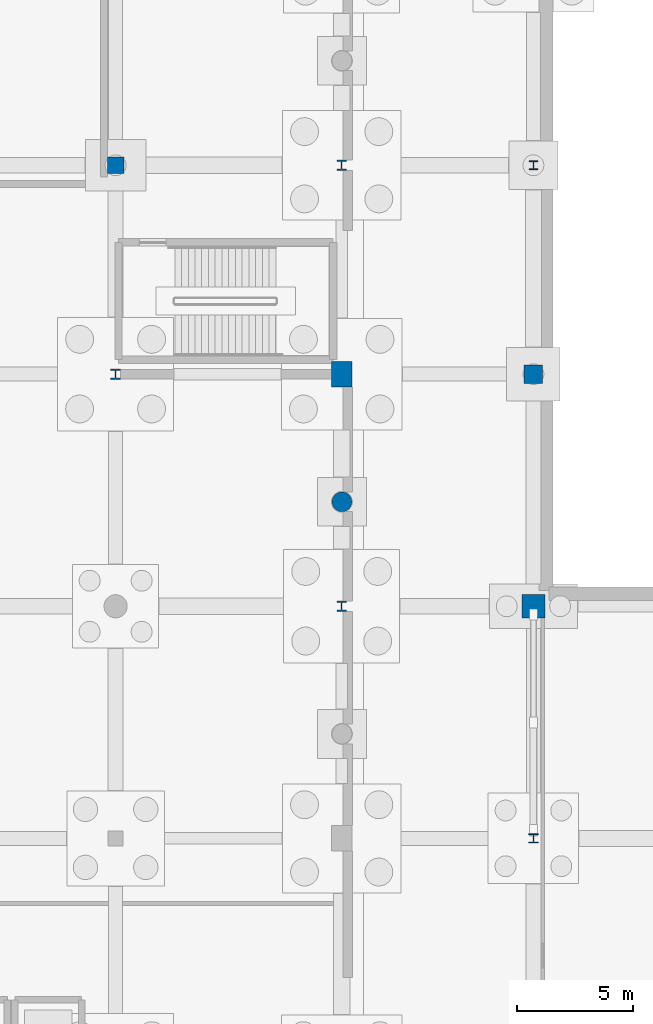
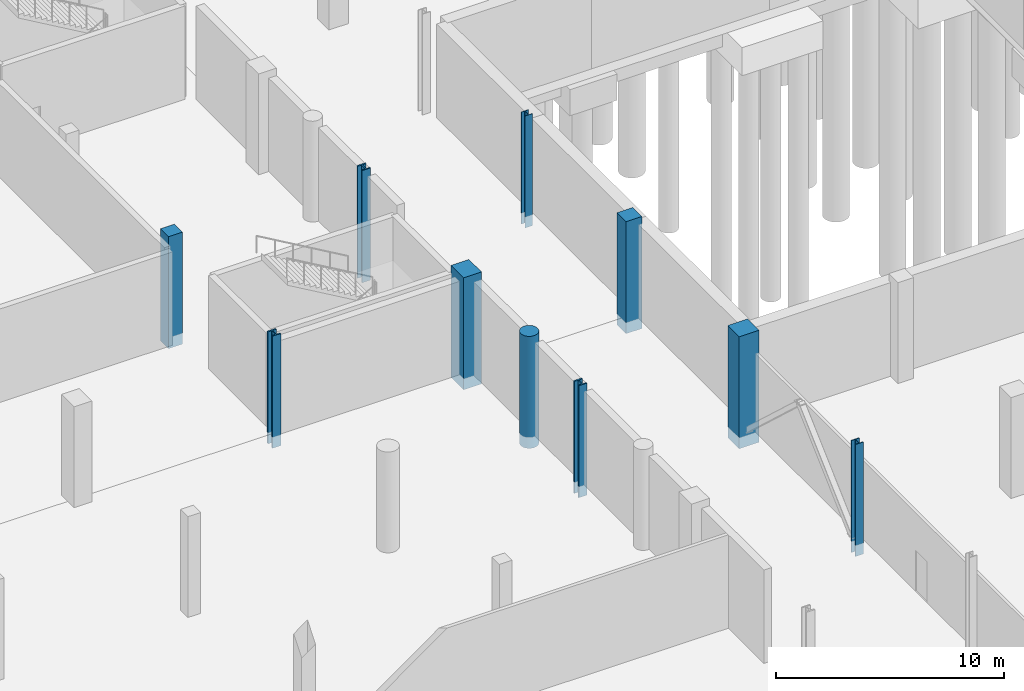
# One storey, part 29 of 60: 10 columns.
"""IFC4 building model written with IfcOpenShell, lengths in metres."""

from ifc_helpers import new_model, si_unit, direction, frame, origin, origin_2d, place, context, subcontext, project, spatial, rectangle, circle, i_section, extrude, material, material_profile, profile_set, type_object, element, save


model = new_model("IFC4")

# Units and contexts
model_context = context("Model", 3, precision=1e-05, world=origin(), true_north=direction((0.0, 1.0)))
body_context = subcontext(model_context, "Body", "Model", "MODEL_VIEW")
ifc_project = project(units=[si_unit("LENGTHUNIT", "METRE"), si_unit("AREAUNIT", "SQUARE_METRE"), si_unit("VOLUMEUNIT", "CUBIC_METRE"), si_unit("PLANEANGLEUNIT", "RADIAN"), si_unit("MASSUNIT", "GRAM", prefix="KILO")], contexts=[model_context])

# Site, building, storey
site_placement = place(None, origin())
site = spatial("IfcSite", under=ifc_project, at=site_placement, CompositionType="ELEMENT")
building_placement = place(site_placement, origin())
building = spatial("IfcBuilding", under=site, at=building_placement, Name="Trimount Lyric Opera House", CompositionType="ELEMENT")
storey_placement = place(building_placement, frame((0.0, 0.0, -5.39990234375)))
storey = spatial("IfcBuildingStorey", under=building, at=storey_placement, Name="B1", CompositionType="ELEMENT", Elevation=-5.39990234375)

# Columns
ifc_material_1 = material(Name="Steel ASTM A992 Grade 50", Category="steel")
ifc_material_profile_1 = material_profile(ifc_material_1, i_section(OverallWidth=0.422119140625, OverallDepth=0.465087890625, WebThickness=0.044921875, FlangeThickness=0.072509765625, FilletRadius=0.02001953125, at=origin_2d()), Name="W14X398")
ifc_profile_set_1 = profile_set([ifc_material_profile_1], Name="Steel ASTM A992 Grade 50")
column_type_1 = type_object("IfcColumnType", Name="C-01", PredefinedType="COLUMN", material=ifc_profile_set_1)
for number, where, z_axis, x_axis, name in (
    (1, (104.0, 84.0, -0.60009765625), (0.0, 0.0, 1.0), (1.0, 0.0, 0.0), "B1 column 12/K"),
    (2, (113.739990234375, 74.0, -0.60009765625), (0.0, 0.0, 1.0), (1.0, 0.0, 0.0), "B1 column 13/J"),
    (3, (113.739990234375, 93.0, -0.60009765625), (0.0, 0.0, 1.0), (1.0, 0.0, 0.0), "B1 column 13/L"),
):
    element("IfcColumn", number, at=place(storey_placement, frame(where, z_axis=z_axis, x_axis=x_axis)), inside=storey, type_object=column_type_1, Name=name, PredefinedType="COLUMN", context=body_context, shape_type="SweptSolid", body=[
        extrude(i_section(OverallWidth=0.422119140625, OverallDepth=0.465087890625, WebThickness=0.044921875, FlangeThickness=0.072509765625, FilletRadius=0.02001953125, at=origin_2d()), origin(), (0.0, 0.0, 1.0), 6.0),
    ])
ifc_material_2 = material(Name="Steel ASTM A992 Grade 50", Category="steel")
ifc_material_profile_2 = material_profile(ifc_material_2, i_section(OverallWidth=0.39892578125, OverallDepth=0.385986328125, WebThickness=0.02099609375, FlangeThickness=0.033203125, FilletRadius=0.01611328125, at=origin_2d()), Name="W14X176")
ifc_profile_set_2 = profile_set([ifc_material_profile_2], Name="Steel ASTM A992 Grade 50")
column_type_2 = type_object("IfcColumnType", Name="C-03", PredefinedType="COLUMN", material=ifc_profile_set_2)
column_1_placement = place(storey_placement, frame((122.0, 64.0, -0.60009765625), z_axis=(0.0, 0.0, 1.0), x_axis=(1.0, 0.0, 0.0)))
element("IfcColumn", 4, at=column_1_placement, inside=storey, type_object=column_type_2, Name="B1 column 14/H", PredefinedType="COLUMN", context=body_context, shape_type="SweptSolid", body=[
    extrude(i_section(OverallWidth=0.39892578125, OverallDepth=0.385986328125, WebThickness=0.02099609375, FlangeThickness=0.033203125, FilletRadius=0.01611328125, at=origin_2d()), origin(), (0.0, 0.0, 1.0), 6.0),
])
ifc_material_3 = material(Name="Steel ASTM A992 Grade 50", Category="steel")
ifc_material_profile_3 = material_profile(ifc_material_3, i_section(OverallWidth=0.373046875, OverallDepth=0.367919921875, WebThickness=0.014892578125, FlangeThickness=0.02392578125, FilletRadius=0.014892578125, at=origin_2d()), Name="W14X120")
ifc_profile_set_3 = profile_set([ifc_material_profile_3], Name="Steel ASTM A992 Grade 50")
column_type_3 = type_object("IfcColumnType", Name="C-08", PredefinedType="COLUMN", material=ifc_profile_set_3)
column_2_placement = place(storey_placement, frame((122.0, 93.0, -0.60009765625), z_axis=(0.0, 0.0, 1.0), x_axis=(1.0, 0.0, 0.0)))
element("IfcColumn", 5, at=column_2_placement, inside=storey, type_object=column_type_3, Name="B1 column 14/L", PredefinedType="COLUMN", context=body_context, shape_type="SweptSolid", body=[
    extrude(i_section(OverallWidth=0.373046875, OverallDepth=0.367919921875, WebThickness=0.014892578125, FlangeThickness=0.02392578125, FilletRadius=0.014892578125, at=origin_2d()), origin(), (0.0, 0.0, 1.0), 6.0),
])
ifc_material_4 = material(Name="Concrete C50/60", Category="concrete")
ifc_material_profile_4 = material_profile(ifc_material_4, rectangle(XDim=0.89990234375, YDim=1.10009765625, at=origin_2d()), Name="RC1100X900")
ifc_profile_set_4 = profile_set([ifc_material_profile_4], Name="Concrete C50/60")
column_type_4 = type_object("IfcColumnType", Name="C-11", PredefinedType="COLUMN", material=ifc_profile_set_4)
column_3_placement = place(storey_placement, frame((113.739990234375, 84.0, -0.60009765625), z_axis=(0.0, 0.0, 1.0), x_axis=(1.0, 0.0, 0.0)))
element("IfcColumn", 6, at=column_3_placement, inside=storey, type_object=column_type_4, Name="B1 column 13/K", PredefinedType="COLUMN", context=body_context, shape_type="SweptSolid", body=[
    extrude(rectangle(XDim=0.89990234375, YDim=1.10009765625, at=origin_2d()), origin(), (0.0, 0.0, 1.0), 6.0),
])
ifc_material_5 = material(Name="Concrete C50/60", Category="concrete")
ifc_material_profile_5 = material_profile(ifc_material_5, rectangle(XDim=1.0, YDim=1.0, at=origin_2d()), Name="RC1000X1000")
ifc_profile_set_5 = profile_set([ifc_material_profile_5], Name="Concrete C50/60")
column_type_5 = type_object("IfcColumnType", Name="C-12", PredefinedType="COLUMN", material=ifc_profile_set_5)
column_4_placement = place(storey_placement, frame((122.0, 74.0, -0.60009765625), z_axis=(0.0, 0.0, 1.0), x_axis=(1.0, 0.0, 0.0)))
element("IfcColumn", 7, at=column_4_placement, inside=storey, type_object=column_type_5, Name="B1 column 14/J", PredefinedType="COLUMN", context=body_context, shape_type="SweptSolid", body=[
    extrude(rectangle(XDim=1.0, YDim=1.0, at=origin_2d()), origin(), (0.0, 0.0, 1.0), 6.0),
])
ifc_material_6 = material(Name="Concrete C40/50", Category="concrete")
ifc_material_profile_6 = material_profile(ifc_material_6, rectangle(XDim=0.800048828125, YDim=0.800048828125, at=origin_2d()), Name="RC800X800")
ifc_profile_set_6 = profile_set([ifc_material_profile_6], Name="Concrete C40/50")
column_type_6 = type_object("IfcColumnType", Name="C-14", PredefinedType="COLUMN", material=ifc_profile_set_6)
column_5_placement = place(storey_placement, frame((122.0, 84.0, -0.60009765625), z_axis=(0.0, 0.0, 1.0), x_axis=(1.0, 0.0, 0.0)))
element("IfcColumn", 8, at=column_5_placement, inside=storey, type_object=column_type_6, Name="B1 column 14/K", PredefinedType="COLUMN", context=body_context, shape_type="SweptSolid", body=[
    extrude(rectangle(XDim=0.800048828125, YDim=0.800048828125, at=origin_2d()), origin(), (0.0, 0.0, 1.0), 6.0),
])
ifc_material_7 = material(Name="Concrete C40/50", Category="concrete")
ifc_material_profile_7 = material_profile(ifc_material_7, rectangle(XDim=0.699951171875, YDim=0.699951171875, at=origin_2d()), Name="RC700X700")
ifc_profile_set_7 = profile_set([ifc_material_profile_7], Name="Concrete C40/50")
column_type_7 = type_object("IfcColumnType", Name="C-16", PredefinedType="COLUMN", material=ifc_profile_set_7)
column_6_placement = place(storey_placement, frame((104.0, 93.0, -0.60009765625), z_axis=(0.0, 0.0, 1.0), x_axis=(1.0, 0.0, 0.0)))
element("IfcColumn", 9, at=column_6_placement, inside=storey, type_object=column_type_7, Name="B1 column 12/L", PredefinedType="COLUMN", context=body_context, shape_type="SweptSolid", body=[
    extrude(rectangle(XDim=0.699951171875, YDim=0.699951171875, at=origin_2d()), origin(), (0.0, 0.0, 1.0), 6.0),
])
ifc_material_8 = material(Name="Concrete C50/60", Category="concrete")
ifc_material_profile_8 = material_profile(ifc_material_8, circle(Radius=0.425048828125, at=origin_2d()), Name="RC-D850")
ifc_profile_set_8 = profile_set([ifc_material_profile_8], Name="Concrete C50/60")
column_type_8 = type_object("IfcColumnType", Name="CP-02", PredefinedType="PILASTER", material=ifc_profile_set_8)
column_7_placement = place(storey_placement, frame((113.75, 78.5, -0.60009765625), z_axis=(0.0, 0.0, 1.0), x_axis=(1.0, 0.0, 0.0)))
element("IfcColumn", 10, at=column_7_placement, inside=storey, type_object=column_type_8, Name="B1 acoustic shell pilaster E2", PredefinedType="PILASTER", context=body_context, shape_type="SweptSolid", body=[
    extrude(circle(Radius=0.425048828125, at=origin_2d()), origin(), (0.0, 0.0, 1.0), 6.0),
])

save(model, "model.ifc")
